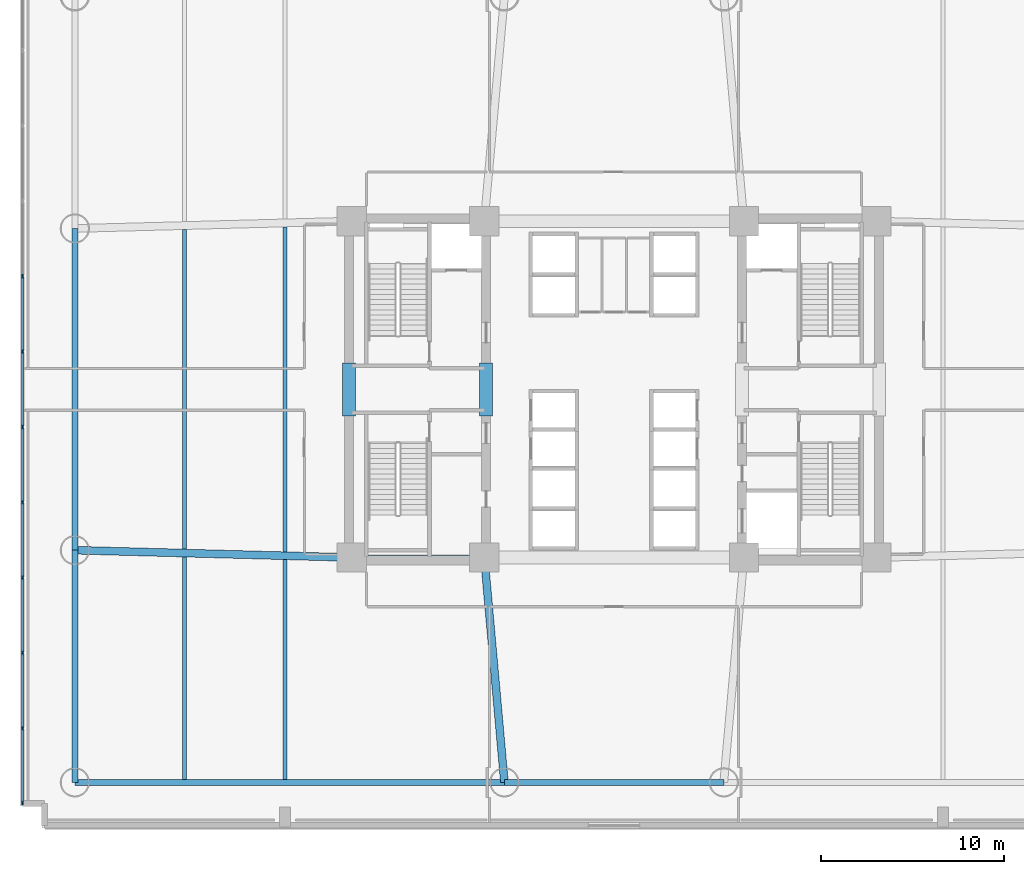
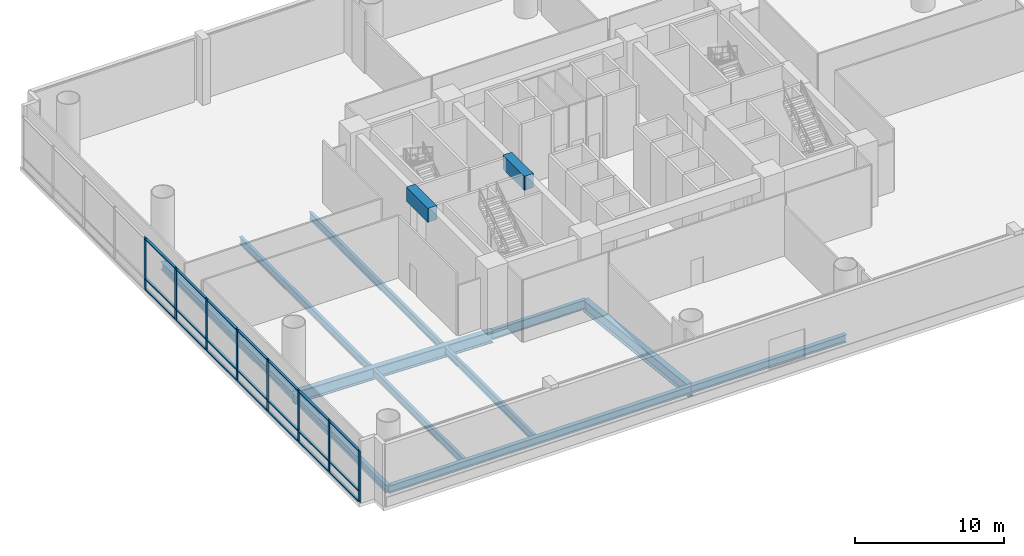
# One storey, part 2 of 15: 29 members, 13 beams, 1 element without a shape of its own.
"""IFC4 building model written with IfcOpenShell, lengths in metres."""

from ifc_helpers import new_model, si_unit, direction, frame, origin, origin_2d, place, context, subcontext, project, spatial, rectangle, i_section, extrude, source, transform, mapped, material, layer, layer_set, material_profile, profile_set, type_object, element, aggregate, save


model = new_model("IFC4")

# Units and contexts
model_context = context("Model", 3, precision=1e-05, world=origin(), true_north=direction((0.0, 1.0)))
body_context = subcontext(model_context, "Body", "Model", "MODEL_VIEW")
ifc_project = project(units=[si_unit("LENGTHUNIT", "METRE"), si_unit("AREAUNIT", "SQUARE_METRE"), si_unit("VOLUMEUNIT", "CUBIC_METRE"), si_unit("PLANEANGLEUNIT", "RADIAN"), si_unit("MASSUNIT", "GRAM", prefix="KILO")], contexts=[model_context])

# Site, building, storey
site_placement = place(None, origin())
site = spatial("IfcSite", under=ifc_project, at=site_placement, CompositionType="ELEMENT")
building_placement = place(site_placement, origin())
building = spatial("IfcBuilding", under=site, at=building_placement, Name="Zahravan Cultural Tower", CompositionType="ELEMENT")
storey_placement = place(building_placement, frame((0.0, 0.0, 7.199951171875)))
storey = spatial("IfcBuildingStorey", under=building, at=storey_placement, Name="L01", CompositionType="ELEMENT", Elevation=7.199951171875)

# Beams
ifc_material_1 = material(Name="Concrete C50/60", Category="concrete")
ifc_material_profile_1 = material_profile(ifc_material_1, rectangle(XDim=0.699951171875, YDim=1.14990234375, at=origin_2d()), Name="RC700X1150")
ifc_profile_set_1 = profile_set([ifc_material_profile_1], Name="Concrete C50/60")
beam_type_1 = type_object("IfcBeamType", Name="BM-LN-RC700X1150", PredefinedType="LINTEL", material=ifc_profile_set_1)
shared_shape_1 = source(origin(), body_context, "Body", "SweptSolid", [
    extrude(rectangle(XDim=0.699951171875, YDim=1.14990234375, at=origin_2d()), origin(), (0.0, 0.0, 1.0), 2.89990234375),
])
for number, where, z_axis, x_axis, name in (
    (1, (21.5, 25.550048828125, 4.525146484375), (0.0, 1.0, 0.0), (-1.0, 0.0, 0.0), "L01 Beam LN-L01-PWW"),
    (2, (29.0, 25.550048828125, 4.525146484375), (0.0, 1.0, 0.0), (-1.0, 0.0, 0.0), "L01 Beam LN-L01-PWE"),
):
    element("IfcBeam", number, at=place(storey_placement, frame(where, z_axis=z_axis, x_axis=x_axis)), inside=storey, type_object=beam_type_1, Name=name, PredefinedType="LINTEL", context=body_context, shape_type="MappedRepresentation", body=[
        mapped(shared_shape_1, transform((0.0, 0.0, 0.0), x_axis=(1.0, 0.0, 0.0), y_axis=(0.0, 1.0, 0.0), z_axis=(0.0, 0.0, 1.0), scale=1.0)),
    ])
ifc_material_2 = material(Name="Steel ASTM A992 Grade 50", Category="steel")
ifc_material_profile_2 = material_profile(ifc_material_2, i_section(OverallWidth=0.26611328125, OverallDepth=0.780029296875, WebThickness=0.0166015625, FlangeThickness=0.030029296875, FilletRadius=0.01904296875, at=origin_2d()), Name="W30X148")
ifc_profile_set_2 = profile_set([ifc_material_profile_2], Name="Steel ASTM A992 Grade 50")
beam_type_2 = type_object("IfcBeamType", Name="BM-G-W30X148", PredefinedType="BEAM", material=ifc_profile_set_2)
shared_shape_2 = source(origin(), body_context, "Body", "SweptSolid", [
    extrude(i_section(OverallWidth=0.26611328125, OverallDepth=0.780029296875, WebThickness=0.0166015625, FlangeThickness=0.030029296875, FilletRadius=0.01904296875, at=origin_2d()), origin(), (0.0, 0.0, 1.0), 7.25),
])
beam_1_placement = place(storey_placement, frame((21.64990234375, 17.800048828125, -0.68994140625), z_axis=(1.0, 0.0, 0.0), x_axis=(0.0, 1.0, 0.0)))
element("IfcBeam", 3, at=beam_1_placement, inside=storey, type_object=beam_type_2, Name="L01 Beam BG-L01-01", PredefinedType="BEAM", context=body_context, shape_type="MappedRepresentation", body=[
    mapped(shared_shape_2, transform((0.0, 0.0, 0.0), x_axis=(1.0, 0.0, 0.0), y_axis=(0.0, 1.0, 0.0), z_axis=(0.0, 0.0, 1.0), scale=1.0)),
])
ifc_material_profile_3 = material_profile(ifc_material_2, i_section(OverallWidth=0.326904296875, OverallDepth=0.6220703125, WebThickness=0.015380859375, FlangeThickness=0.0244140625, FilletRadius=0.014892578125, at=origin_2d()), Name="W24X131")
ifc_profile_set_3 = profile_set([ifc_material_profile_3], Name="Steel ASTM A992 Grade 50")
beam_type_3 = type_object("IfcBeamType", Name="BM-SP-W24X131", PredefinedType="SPANDREL", material=ifc_profile_set_3)
shared_shape_3 = source(origin(), body_context, "Body", "SweptSolid", [
    extrude(i_section(OverallWidth=0.326904296875, OverallDepth=0.6220703125, WebThickness=0.015380859375, FlangeThickness=0.0244140625, FilletRadius=0.014892578125, at=origin_2d()), origin(), (0.0, 0.0, 1.0), 23.5),
])
beam_2_placement = place(storey_placement, frame((6.5, 5.5, -0.61083984375), z_axis=(1.0, 0.0, 0.0), x_axis=(0.0, 1.0, 0.0)))
element("IfcBeam", 4, at=beam_2_placement, inside=storey, type_object=beam_type_3, Name="L01 Beam BG-L01-07", PredefinedType="SPANDREL", context=body_context, shape_type="MappedRepresentation", body=[
    mapped(shared_shape_3, transform((0.0, 0.0, 0.0), x_axis=(1.0, 0.0, 0.0), y_axis=(0.0, 1.0, 0.0), z_axis=(0.0, 0.0, 1.0), scale=1.0)),
])
shared_shape_4 = source(origin(), body_context, "Body", "SweptSolid", [
    extrude(i_section(OverallWidth=0.326904296875, OverallDepth=0.6220703125, WebThickness=0.015380859375, FlangeThickness=0.0244140625, FilletRadius=0.014892578125, at=origin_2d()), origin(), (0.0, 0.0, 1.0), 12.0),
])
beam_3_placement = place(storey_placement, frame((30.0, 5.5, -0.61083984375), z_axis=(1.0, 0.0, 0.0), x_axis=(0.0, 1.0, 0.0)))
element("IfcBeam", 5, at=beam_3_placement, inside=storey, type_object=beam_type_3, Name="L01 Beam BG-L01-08", PredefinedType="SPANDREL", context=body_context, shape_type="MappedRepresentation", body=[
    mapped(shared_shape_4, transform((0.0, 0.0, 0.0), x_axis=(1.0, 0.0, 0.0), y_axis=(0.0, 1.0, 0.0), z_axis=(0.0, 0.0, 1.0), scale=1.0)),
])
shared_shape_5 = source(origin(), body_context, "Body", "SweptSolid", [
    extrude(i_section(OverallWidth=0.326904296875, OverallDepth=0.6220703125, WebThickness=0.015380859375, FlangeThickness=0.0244140625, FilletRadius=0.014892578125, at=origin_2d()), origin(), (0.0, 0.0, 1.0), 12.699951171875),
])
beam_4_placement = place(storey_placement, frame((6.5, 5.5, -0.61083984375), z_axis=(0.0, 1.0, 0.0), x_axis=(-1.0, 0.0, 0.0)))
element("IfcBeam", 6, at=beam_4_placement, inside=storey, type_object=beam_type_3, Name="L01 Beam BG-L01-13", PredefinedType="SPANDREL", context=body_context, shape_type="MappedRepresentation", body=[
    mapped(shared_shape_5, transform((0.0, 0.0, 0.0), x_axis=(1.0, 0.0, 0.0), y_axis=(0.0, 1.0, 0.0), z_axis=(0.0, 0.0, 1.0), scale=1.0)),
])
shared_shape_6 = source(origin(), body_context, "Body", "SweptSolid", [
    extrude(i_section(OverallWidth=0.326904296875, OverallDepth=0.6220703125, WebThickness=0.015380859375, FlangeThickness=0.0244140625, FilletRadius=0.014892578125, at=origin_2d()), origin(), (0.0, 0.0, 1.0), 17.60009765625),
])
beam_5_placement = place(storey_placement, frame((6.5, 18.199951171875, -0.61083984375), z_axis=(0.0, 1.0, 0.0), x_axis=(-1.0, 0.0, 0.0)))
element("IfcBeam", 7, at=beam_5_placement, inside=storey, type_object=beam_type_3, Name="L01 Beam BG-L01-14", PredefinedType="SPANDREL", context=body_context, shape_type="MappedRepresentation", body=[
    mapped(shared_shape_6, transform((0.0, 0.0, 0.0), x_axis=(1.0, 0.0, 0.0), y_axis=(0.0, 1.0, 0.0), z_axis=(0.0, 0.0, 1.0), scale=1.0)),
])
ifc_material_profile_4 = material_profile(ifc_material_2, i_section(OverallWidth=0.425048828125, OverallDepth=0.965087890625, WebThickness=0.0283203125, FlangeThickness=0.051025390625, FilletRadius=0.02392578125, at=origin_2d()), Name="W36X361")
ifc_profile_set_4 = profile_set([ifc_material_profile_4], Name="Steel ASTM A992 Grade 50")
beam_type_4 = type_object("IfcBeamType", Name="BM-G-W36X361", PredefinedType="BEAM", material=ifc_profile_set_4)
shared_shape_7 = source(origin(), body_context, "Body", "SweptSolid", [
    extrude(i_section(OverallWidth=0.425048828125, OverallDepth=0.965087890625, WebThickness=0.0283203125, FlangeThickness=0.051025390625, FilletRadius=0.02392578125, at=origin_2d()), origin(), (0.0, 0.0, 1.0), 15.1552734375),
])
beam_6_placement = place(storey_placement, frame((6.5, 18.199951171875, -0.782470703125), z_axis=(0.999651797923, -0.026387173188, 0.0), x_axis=(0.026387173188, 0.999651797923, 0.0)))
element("IfcBeam", 8, at=beam_6_placement, inside=storey, type_object=beam_type_4, Name="L01 Beam BG-L01-19", PredefinedType="BEAM", context=body_context, shape_type="MappedRepresentation", body=[
    mapped(shared_shape_7, transform((0.0, 0.0, 0.0), x_axis=(1.0, 0.0, 0.0), y_axis=(0.0, 1.0, 0.0), z_axis=(0.0, 0.0, 1.0), scale=1.0)),
])
shared_shape_8 = source(origin(), body_context, "Body", "SweptSolid", [
    extrude(i_section(OverallWidth=0.425048828125, OverallDepth=0.965087890625, WebThickness=0.0283203125, FlangeThickness=0.051025390625, FilletRadius=0.02392578125, at=origin_2d()), origin(), (0.0, 0.0, 1.0), 12.34912109375),
])
beam_7_placement = place(storey_placement, frame((30.0, 5.5, -0.782470703125), z_axis=(-0.089082890706, 0.996024215862, 0.0), x_axis=(-0.996024215862, -0.089082890706, 0.0)))
element("IfcBeam", 9, at=beam_7_placement, inside=storey, type_object=beam_type_4, Name="L01 Beam BG-L01-23", PredefinedType="BEAM", context=body_context, shape_type="MappedRepresentation", body=[
    mapped(shared_shape_8, transform((0.0, 0.0, 0.0), x_axis=(1.0, 0.0, 0.0), y_axis=(0.0, 1.0, 0.0), z_axis=(0.0, 0.0, 1.0), scale=1.0)),
])
ifc_material_profile_5 = material_profile(ifc_material_2, i_section(OverallWidth=0.22998046875, OverallDepth=0.616943359375, WebThickness=0.01318359375, FlangeThickness=0.022216796875, FilletRadius=0.014892578125, at=origin_2d()), Name="W24X94")
ifc_profile_set_5 = profile_set([ifc_material_profile_5], Name="Steel ASTM A992 Grade 50")
beam_type_5 = type_object("IfcBeamType", Name="BM-J-W24X94", PredefinedType="JOIST", material=ifc_profile_set_5)
shared_shape_9 = source(origin(), body_context, "Body", "SweptSolid", [
    extrude(i_section(OverallWidth=0.22998046875, OverallDepth=0.616943359375, WebThickness=0.01318359375, FlangeThickness=0.022216796875, FilletRadius=0.014892578125, at=origin_2d()), origin(), (0.0, 0.0, 1.0), 12.16357421875),
])
beam_8_placement = place(storey_placement, frame((12.5, 5.6650390625, -0.6083984375), z_axis=(0.0, 1.0, 0.0), x_axis=(-1.0, 0.0, 0.0)))
element("IfcBeam", 10, at=beam_8_placement, inside=storey, type_object=beam_type_5, Name="L01 Beam BJ-L01-27", PredefinedType="JOIST", context=body_context, shape_type="MappedRepresentation", body=[
    mapped(shared_shape_9, transform((0.0, 0.0, 0.0), x_axis=(1.0, 0.0, 0.0), y_axis=(0.0, 1.0, 0.0), z_axis=(0.0, 0.0, 1.0), scale=1.0)),
])
shared_shape_10 = source(origin(), body_context, "Body", "SweptSolid", [
    extrude(i_section(OverallWidth=0.22998046875, OverallDepth=0.616943359375, WebThickness=0.01318359375, FlangeThickness=0.022216796875, FilletRadius=0.014892578125, at=origin_2d()), origin(), (0.0, 0.0, 1.0), 17.49072265625),
])
beam_9_placement = place(storey_placement, frame((12.5, 18.254638671875, -0.6083984375), z_axis=(0.0, 1.0, 0.0), x_axis=(-1.0, 0.0, 0.0)))
element("IfcBeam", 11, at=beam_9_placement, inside=storey, type_object=beam_type_5, Name="L01 Beam BJ-L01-28", PredefinedType="JOIST", context=body_context, shape_type="MappedRepresentation", body=[
    mapped(shared_shape_10, transform((0.0, 0.0, 0.0), x_axis=(1.0, 0.0, 0.0), y_axis=(0.0, 1.0, 0.0), z_axis=(0.0, 0.0, 1.0), scale=1.0)),
])
shared_shape_11 = source(origin(), body_context, "Body", "SweptSolid", [
    extrude(i_section(OverallWidth=0.22998046875, OverallDepth=0.616943359375, WebThickness=0.01318359375, FlangeThickness=0.022216796875, FilletRadius=0.014892578125, at=origin_2d()), origin(), (0.0, 0.0, 1.0), 12.018310546875),
])
beam_10_placement = place(storey_placement, frame((18.0, 5.6650390625, -0.6083984375), z_axis=(0.0, 1.0, 0.0), x_axis=(-1.0, 0.0, 0.0)))
element("IfcBeam", 12, at=beam_10_placement, inside=storey, type_object=beam_type_5, Name="L01 Beam BJ-L01-30", PredefinedType="JOIST", context=body_context, shape_type="MappedRepresentation", body=[
    mapped(shared_shape_11, transform((0.0, 0.0, 0.0), x_axis=(1.0, 0.0, 0.0), y_axis=(0.0, 1.0, 0.0), z_axis=(0.0, 0.0, 1.0), scale=1.0)),
])
shared_shape_12 = source(origin(), body_context, "Body", "SweptSolid", [
    extrude(i_section(OverallWidth=0.22998046875, OverallDepth=0.616943359375, WebThickness=0.01318359375, FlangeThickness=0.022216796875, FilletRadius=0.014892578125, at=origin_2d()), origin(), (0.0, 0.0, 1.0), 17.78125),
])
beam_11_placement = place(storey_placement, frame((18.0, 18.109375, -0.6083984375), z_axis=(0.0, 1.0, 0.0), x_axis=(-1.0, 0.0, 0.0)))
element("IfcBeam", 13, at=beam_11_placement, inside=storey, type_object=beam_type_5, Name="L01 Beam BJ-L01-31", PredefinedType="JOIST", context=body_context, shape_type="MappedRepresentation", body=[
    mapped(shared_shape_12, transform((0.0, 0.0, 0.0), x_axis=(1.0, 0.0, 0.0), y_axis=(0.0, 1.0, 0.0), z_axis=(0.0, 0.0, 1.0), scale=1.0)),
])

# Curtain wall, members
ifc_material_3 = material(Name="Anodised bronze-aluminium mullion", Category="aluminium")
ifc_layer = layer(ifc_material_3, 0.239990234375)
ifc_layer_set = layer_set([ifc_layer], Name="Anodised bronze-aluminium mullion")
curtain_wall_type = type_object("IfcCurtainWallType", Name="CW-SYS-5", PredefinedType="USERDEFINED", material=ifc_layer_set)
curtain_wall_placement = place(storey_placement, origin())
curtain_wall = element("IfcCurtainWall", 14, at=curtain_wall_placement, inside=storey, type_object=curtain_wall_type, Name="L01 Recessed Curtain Wall CW-5.2", ObjectType="RECESSED GLAZING", PredefinedType="USERDEFINED")
ifc_material_profile_6 = material_profile(ifc_material_3, rectangle(XDim=0.0849609375, YDim=0.239990234375, at=origin_2d()), Name="AL-M85X240")
ifc_profile_set_6 = profile_set([ifc_material_profile_6], Name="Anodised bronze-aluminium mullion")
member_type_1 = type_object("IfcMemberType", Name="CWM-CW-5", PredefinedType="MULLION", material=ifc_profile_set_6)
shared_shape_13 = source(origin(), body_context, "Body", "SweptSolid", [
    extrude(rectangle(XDim=0.0849609375, YDim=0.239990234375, at=origin_2d()), origin(), (0.0, 0.0, 1.0), 4.219970703125),
])
member_1_placement = place(storey_placement, frame((3.639892578125, 4.382568359375, 0.0), z_axis=(0.0, 0.0, 1.0), x_axis=(-1.0, 0.0, 0.0)))
member_1 = element("IfcMember", 15, at=member_1_placement, type_object=member_type_1, Name="CW-5 mullion 1", PredefinedType="MULLION", context=body_context, shape_type="MappedRepresentation", body=[
    mapped(shared_shape_13, transform((0.0, 0.0, 0.0), x_axis=(1.0, 0.0, 0.0), y_axis=(0.0, 1.0, 0.0), z_axis=(0.0, 0.0, 1.0), scale=1.0)),
])
member_2_placement = place(storey_placement, frame((3.639892578125, 8.4599609375, 0.0), z_axis=(0.0, 0.0, 1.0), x_axis=(-1.0, 0.0, 0.0)))
member_2 = element("IfcMember", 16, at=member_2_placement, type_object=member_type_1, Name="CW-5 mullion 2", PredefinedType="MULLION", context=body_context, shape_type="MappedRepresentation", body=[
    mapped(shared_shape_13, transform((0.0, 0.0, 0.0), x_axis=(1.0, 0.0, 0.0), y_axis=(0.0, 1.0, 0.0), z_axis=(0.0, 0.0, 1.0), scale=1.0)),
])
member_3_placement = place(storey_placement, frame((3.639892578125, 12.580078125, 0.0), z_axis=(0.0, 0.0, 1.0), x_axis=(-1.0, 0.0, 0.0)))
member_3 = element("IfcMember", 17, at=member_3_placement, type_object=member_type_1, Name="CW-5 mullion 3", PredefinedType="MULLION", context=body_context, shape_type="MappedRepresentation", body=[
    mapped(shared_shape_13, transform((0.0, 0.0, 0.0), x_axis=(1.0, 0.0, 0.0), y_axis=(0.0, 1.0, 0.0), z_axis=(0.0, 0.0, 1.0), scale=1.0)),
])
member_4_placement = place(storey_placement, frame((3.639892578125, 16.699951171875, 0.0), z_axis=(0.0, 0.0, 1.0), x_axis=(-1.0, 0.0, 0.0)))
member_4 = element("IfcMember", 18, at=member_4_placement, type_object=member_type_1, Name="CW-5 mullion 4", PredefinedType="MULLION", context=body_context, shape_type="MappedRepresentation", body=[
    mapped(shared_shape_13, transform((0.0, 0.0, 0.0), x_axis=(1.0, 0.0, 0.0), y_axis=(0.0, 1.0, 0.0), z_axis=(0.0, 0.0, 1.0), scale=1.0)),
])
member_5_placement = place(storey_placement, frame((3.639892578125, 20.820068359375, 0.0), z_axis=(0.0, 0.0, 1.0), x_axis=(-1.0, 0.0, 0.0)))
member_5 = element("IfcMember", 19, at=member_5_placement, type_object=member_type_1, Name="CW-5 mullion 5", PredefinedType="MULLION", context=body_context, shape_type="MappedRepresentation", body=[
    mapped(shared_shape_13, transform((0.0, 0.0, 0.0), x_axis=(1.0, 0.0, 0.0), y_axis=(0.0, 1.0, 0.0), z_axis=(0.0, 0.0, 1.0), scale=1.0)),
])
member_6_placement = place(storey_placement, frame((3.639892578125, 24.93994140625, 0.0), z_axis=(0.0, 0.0, 1.0), x_axis=(-1.0, 0.0, 0.0)))
member_6 = element("IfcMember", 20, at=member_6_placement, type_object=member_type_1, Name="CW-5 mullion 6", PredefinedType="MULLION", context=body_context, shape_type="MappedRepresentation", body=[
    mapped(shared_shape_13, transform((0.0, 0.0, 0.0), x_axis=(1.0, 0.0, 0.0), y_axis=(0.0, 1.0, 0.0), z_axis=(0.0, 0.0, 1.0), scale=1.0)),
])
member_7_placement = place(storey_placement, frame((3.639892578125, 29.06005859375, 0.0), z_axis=(0.0, 0.0, 1.0), x_axis=(-1.0, 0.0, 0.0)))
member_7 = element("IfcMember", 21, at=member_7_placement, type_object=member_type_1, Name="CW-5 mullion 7", PredefinedType="MULLION", context=body_context, shape_type="MappedRepresentation", body=[
    mapped(shared_shape_13, transform((0.0, 0.0, 0.0), x_axis=(1.0, 0.0, 0.0), y_axis=(0.0, 1.0, 0.0), z_axis=(0.0, 0.0, 1.0), scale=1.0)),
])
member_8_placement = place(storey_placement, frame((3.639892578125, 33.179931640625, 0.0), z_axis=(0.0, 0.0, 1.0), x_axis=(-1.0, 0.0, 0.0)))
member_8 = element("IfcMember", 22, at=member_8_placement, type_object=member_type_1, Name="CW-5 mullion 8", PredefinedType="MULLION", context=body_context, shape_type="MappedRepresentation", body=[
    mapped(shared_shape_13, transform((0.0, 0.0, 0.0), x_axis=(1.0, 0.0, 0.0), y_axis=(0.0, 1.0, 0.0), z_axis=(0.0, 0.0, 1.0), scale=1.0)),
])
ifc_material_profile_7 = material_profile(ifc_material_3, rectangle(XDim=0.179931640625, YDim=0.0849609375, at=origin_2d()), Name="AL-T85X180")
ifc_profile_set_7 = profile_set([ifc_material_profile_7], Name="Anodised bronze-aluminium mullion")
member_type_2 = type_object("IfcMemberType", Name="CWT-CW-5", PredefinedType="USERDEFINED", material=ifc_profile_set_7)
shared_shape_14 = source(origin(), body_context, "Body", "SweptSolid", [
    extrude(rectangle(XDim=0.179931640625, YDim=0.0849609375, at=origin_2d()), origin(), (0.0, 0.0, 1.0), 3.992431640625),
])
member_9_placement = place(storey_placement, frame((3.639892578125, 4.425048828125, 0.04248046875), z_axis=(0.0, 1.0, 0.0), x_axis=(-1.0, 0.0, 0.0)))
member_9 = element("IfcMember", 23, at=member_9_placement, type_object=member_type_2, Name="CW-5 transom 1.1", ObjectType="TRANSOM", PredefinedType="USERDEFINED", context=body_context, shape_type="MappedRepresentation", body=[
    mapped(shared_shape_14, transform((0.0, 0.0, 0.0), x_axis=(1.0, 0.0, 0.0), y_axis=(0.0, 1.0, 0.0), z_axis=(0.0, 0.0, 1.0), scale=1.0)),
])
member_10_placement = place(storey_placement, frame((3.639892578125, 4.425048828125, 0.900146484375), z_axis=(0.0, 1.0, 0.0), x_axis=(-1.0, 0.0, 0.0)))
member_10 = element("IfcMember", 24, at=member_10_placement, type_object=member_type_2, Name="CW-5 transom 1.2", ObjectType="TRANSOM", PredefinedType="USERDEFINED", context=body_context, shape_type="MappedRepresentation", body=[
    mapped(shared_shape_14, transform((0.0, 0.0, 0.0), x_axis=(1.0, 0.0, 0.0), y_axis=(0.0, 1.0, 0.0), z_axis=(0.0, 0.0, 1.0), scale=1.0)),
])
member_11_placement = place(storey_placement, frame((3.639892578125, 4.425048828125, 4.177490234375), z_axis=(0.0, 1.0, 0.0), x_axis=(-1.0, 0.0, 0.0)))
member_11 = element("IfcMember", 25, at=member_11_placement, type_object=member_type_2, Name="CW-5 transom 1.3", ObjectType="TRANSOM", PredefinedType="USERDEFINED", context=body_context, shape_type="MappedRepresentation", body=[
    mapped(shared_shape_14, transform((0.0, 0.0, 0.0), x_axis=(1.0, 0.0, 0.0), y_axis=(0.0, 1.0, 0.0), z_axis=(0.0, 0.0, 1.0), scale=1.0)),
])
shared_shape_15 = source(origin(), body_context, "Body", "SweptSolid", [
    extrude(rectangle(XDim=0.179931640625, YDim=0.0849609375, at=origin_2d()), origin(), (0.0, 0.0, 1.0), 4.03515625),
])
member_12_placement = place(storey_placement, frame((3.639892578125, 8.50244140625, 0.04248046875), z_axis=(0.0, 1.0, 0.0), x_axis=(-1.0, 0.0, 0.0)))
member_12 = element("IfcMember", 26, at=member_12_placement, type_object=member_type_2, Name="CW-5 transom 2.1", ObjectType="TRANSOM", PredefinedType="USERDEFINED", context=body_context, shape_type="MappedRepresentation", body=[
    mapped(shared_shape_15, transform((0.0, 0.0, 0.0), x_axis=(1.0, 0.0, 0.0), y_axis=(0.0, 1.0, 0.0), z_axis=(0.0, 0.0, 1.0), scale=1.0)),
])
member_13_placement = place(storey_placement, frame((3.639892578125, 8.50244140625, 0.900146484375), z_axis=(0.0, 1.0, 0.0), x_axis=(-1.0, 0.0, 0.0)))
member_13 = element("IfcMember", 27, at=member_13_placement, type_object=member_type_2, Name="CW-5 transom 2.2", ObjectType="TRANSOM", PredefinedType="USERDEFINED", context=body_context, shape_type="MappedRepresentation", body=[
    mapped(shared_shape_15, transform((0.0, 0.0, 0.0), x_axis=(1.0, 0.0, 0.0), y_axis=(0.0, 1.0, 0.0), z_axis=(0.0, 0.0, 1.0), scale=1.0)),
])
member_14_placement = place(storey_placement, frame((3.639892578125, 8.50244140625, 4.177490234375), z_axis=(0.0, 1.0, 0.0), x_axis=(-1.0, 0.0, 0.0)))
member_14 = element("IfcMember", 28, at=member_14_placement, type_object=member_type_2, Name="CW-5 transom 2.3", ObjectType="TRANSOM", PredefinedType="USERDEFINED", context=body_context, shape_type="MappedRepresentation", body=[
    mapped(shared_shape_15, transform((0.0, 0.0, 0.0), x_axis=(1.0, 0.0, 0.0), y_axis=(0.0, 1.0, 0.0), z_axis=(0.0, 0.0, 1.0), scale=1.0)),
])
member_15_placement = place(storey_placement, frame((3.639892578125, 16.742431640625, 0.04248046875), z_axis=(0.0, 1.0, 0.0), x_axis=(-1.0, 0.0, 0.0)))
member_15 = element("IfcMember", 29, at=member_15_placement, type_object=member_type_2, Name="CW-5 transom 4.1", ObjectType="TRANSOM", PredefinedType="USERDEFINED", context=body_context, shape_type="MappedRepresentation", body=[
    mapped(shared_shape_15, transform((0.0, 0.0, 0.0), x_axis=(1.0, 0.0, 0.0), y_axis=(0.0, 1.0, 0.0), z_axis=(0.0, 0.0, 1.0), scale=1.0)),
])
member_16_placement = place(storey_placement, frame((3.639892578125, 16.742431640625, 0.900146484375), z_axis=(0.0, 1.0, 0.0), x_axis=(-1.0, 0.0, 0.0)))
member_16 = element("IfcMember", 30, at=member_16_placement, type_object=member_type_2, Name="CW-5 transom 4.2", ObjectType="TRANSOM", PredefinedType="USERDEFINED", context=body_context, shape_type="MappedRepresentation", body=[
    mapped(shared_shape_15, transform((0.0, 0.0, 0.0), x_axis=(1.0, 0.0, 0.0), y_axis=(0.0, 1.0, 0.0), z_axis=(0.0, 0.0, 1.0), scale=1.0)),
])
member_17_placement = place(storey_placement, frame((3.639892578125, 16.742431640625, 4.177490234375), z_axis=(0.0, 1.0, 0.0), x_axis=(-1.0, 0.0, 0.0)))
member_17 = element("IfcMember", 31, at=member_17_placement, type_object=member_type_2, Name="CW-5 transom 4.3", ObjectType="TRANSOM", PredefinedType="USERDEFINED", context=body_context, shape_type="MappedRepresentation", body=[
    mapped(shared_shape_15, transform((0.0, 0.0, 0.0), x_axis=(1.0, 0.0, 0.0), y_axis=(0.0, 1.0, 0.0), z_axis=(0.0, 0.0, 1.0), scale=1.0)),
])
member_18_placement = place(storey_placement, frame((3.639892578125, 24.982421875, 0.04248046875), z_axis=(0.0, 1.0, 0.0), x_axis=(-1.0, 0.0, 0.0)))
member_18 = element("IfcMember", 32, at=member_18_placement, type_object=member_type_2, Name="CW-5 transom 6.1", ObjectType="TRANSOM", PredefinedType="USERDEFINED", context=body_context, shape_type="MappedRepresentation", body=[
    mapped(shared_shape_15, transform((0.0, 0.0, 0.0), x_axis=(1.0, 0.0, 0.0), y_axis=(0.0, 1.0, 0.0), z_axis=(0.0, 0.0, 1.0), scale=1.0)),
])
member_19_placement = place(storey_placement, frame((3.639892578125, 24.982421875, 0.900146484375), z_axis=(0.0, 1.0, 0.0), x_axis=(-1.0, 0.0, 0.0)))
member_19 = element("IfcMember", 33, at=member_19_placement, type_object=member_type_2, Name="CW-5 transom 6.2", ObjectType="TRANSOM", PredefinedType="USERDEFINED", context=body_context, shape_type="MappedRepresentation", body=[
    mapped(shared_shape_15, transform((0.0, 0.0, 0.0), x_axis=(1.0, 0.0, 0.0), y_axis=(0.0, 1.0, 0.0), z_axis=(0.0, 0.0, 1.0), scale=1.0)),
])
member_20_placement = place(storey_placement, frame((3.639892578125, 24.982421875, 4.177490234375), z_axis=(0.0, 1.0, 0.0), x_axis=(-1.0, 0.0, 0.0)))
member_20 = element("IfcMember", 34, at=member_20_placement, type_object=member_type_2, Name="CW-5 transom 6.3", ObjectType="TRANSOM", PredefinedType="USERDEFINED", context=body_context, shape_type="MappedRepresentation", body=[
    mapped(shared_shape_15, transform((0.0, 0.0, 0.0), x_axis=(1.0, 0.0, 0.0), y_axis=(0.0, 1.0, 0.0), z_axis=(0.0, 0.0, 1.0), scale=1.0)),
])
shared_shape_16 = source(origin(), body_context, "Body", "SweptSolid", [
    extrude(rectangle(XDim=0.179931640625, YDim=0.0849609375, at=origin_2d()), origin(), (0.0, 0.0, 1.0), 4.034912109375),
])
member_21_placement = place(storey_placement, frame((3.639892578125, 12.62255859375, 0.04248046875), z_axis=(0.0, 1.0, 0.0), x_axis=(-1.0, 0.0, 0.0)))
member_21 = element("IfcMember", 35, at=member_21_placement, type_object=member_type_2, Name="CW-5 transom 3.1", ObjectType="TRANSOM", PredefinedType="USERDEFINED", context=body_context, shape_type="MappedRepresentation", body=[
    mapped(shared_shape_16, transform((0.0, 0.0, 0.0), x_axis=(1.0, 0.0, 0.0), y_axis=(0.0, 1.0, 0.0), z_axis=(0.0, 0.0, 1.0), scale=1.0)),
])
member_22_placement = place(storey_placement, frame((3.639892578125, 12.62255859375, 0.900146484375), z_axis=(0.0, 1.0, 0.0), x_axis=(-1.0, 0.0, 0.0)))
member_22 = element("IfcMember", 36, at=member_22_placement, type_object=member_type_2, Name="CW-5 transom 3.2", ObjectType="TRANSOM", PredefinedType="USERDEFINED", context=body_context, shape_type="MappedRepresentation", body=[
    mapped(shared_shape_16, transform((0.0, 0.0, 0.0), x_axis=(1.0, 0.0, 0.0), y_axis=(0.0, 1.0, 0.0), z_axis=(0.0, 0.0, 1.0), scale=1.0)),
])
member_23_placement = place(storey_placement, frame((3.639892578125, 12.62255859375, 4.177490234375), z_axis=(0.0, 1.0, 0.0), x_axis=(-1.0, 0.0, 0.0)))
member_23 = element("IfcMember", 37, at=member_23_placement, type_object=member_type_2, Name="CW-5 transom 3.3", ObjectType="TRANSOM", PredefinedType="USERDEFINED", context=body_context, shape_type="MappedRepresentation", body=[
    mapped(shared_shape_16, transform((0.0, 0.0, 0.0), x_axis=(1.0, 0.0, 0.0), y_axis=(0.0, 1.0, 0.0), z_axis=(0.0, 0.0, 1.0), scale=1.0)),
])
member_24_placement = place(storey_placement, frame((3.639892578125, 20.862548828125, 0.04248046875), z_axis=(0.0, 1.0, 0.0), x_axis=(-1.0, 0.0, 0.0)))
member_24 = element("IfcMember", 38, at=member_24_placement, type_object=member_type_2, Name="CW-5 transom 5.1", ObjectType="TRANSOM", PredefinedType="USERDEFINED", context=body_context, shape_type="MappedRepresentation", body=[
    mapped(shared_shape_16, transform((0.0, 0.0, 0.0), x_axis=(1.0, 0.0, 0.0), y_axis=(0.0, 1.0, 0.0), z_axis=(0.0, 0.0, 1.0), scale=1.0)),
])
member_25_placement = place(storey_placement, frame((3.639892578125, 20.862548828125, 0.900146484375), z_axis=(0.0, 1.0, 0.0), x_axis=(-1.0, 0.0, 0.0)))
member_25 = element("IfcMember", 39, at=member_25_placement, type_object=member_type_2, Name="CW-5 transom 5.2", ObjectType="TRANSOM", PredefinedType="USERDEFINED", context=body_context, shape_type="MappedRepresentation", body=[
    mapped(shared_shape_16, transform((0.0, 0.0, 0.0), x_axis=(1.0, 0.0, 0.0), y_axis=(0.0, 1.0, 0.0), z_axis=(0.0, 0.0, 1.0), scale=1.0)),
])
member_26_placement = place(storey_placement, frame((3.639892578125, 20.862548828125, 4.177490234375), z_axis=(0.0, 1.0, 0.0), x_axis=(-1.0, 0.0, 0.0)))
member_26 = element("IfcMember", 40, at=member_26_placement, type_object=member_type_2, Name="CW-5 transom 5.3", ObjectType="TRANSOM", PredefinedType="USERDEFINED", context=body_context, shape_type="MappedRepresentation", body=[
    mapped(shared_shape_16, transform((0.0, 0.0, 0.0), x_axis=(1.0, 0.0, 0.0), y_axis=(0.0, 1.0, 0.0), z_axis=(0.0, 0.0, 1.0), scale=1.0)),
])
member_27_placement = place(storey_placement, frame((3.639892578125, 29.1025390625, 0.04248046875), z_axis=(0.0, 1.0, 0.0), x_axis=(-1.0, 0.0, 0.0)))
member_27 = element("IfcMember", 41, at=member_27_placement, type_object=member_type_2, Name="CW-5 transom 7.1", ObjectType="TRANSOM", PredefinedType="USERDEFINED", context=body_context, shape_type="MappedRepresentation", body=[
    mapped(shared_shape_16, transform((0.0, 0.0, 0.0), x_axis=(1.0, 0.0, 0.0), y_axis=(0.0, 1.0, 0.0), z_axis=(0.0, 0.0, 1.0), scale=1.0)),
])
member_28_placement = place(storey_placement, frame((3.639892578125, 29.1025390625, 0.900146484375), z_axis=(0.0, 1.0, 0.0), x_axis=(-1.0, 0.0, 0.0)))
member_28 = element("IfcMember", 42, at=member_28_placement, type_object=member_type_2, Name="CW-5 transom 7.2", ObjectType="TRANSOM", PredefinedType="USERDEFINED", context=body_context, shape_type="MappedRepresentation", body=[
    mapped(shared_shape_16, transform((0.0, 0.0, 0.0), x_axis=(1.0, 0.0, 0.0), y_axis=(0.0, 1.0, 0.0), z_axis=(0.0, 0.0, 1.0), scale=1.0)),
])
member_29_placement = place(storey_placement, frame((3.639892578125, 29.1025390625, 4.177490234375), z_axis=(0.0, 1.0, 0.0), x_axis=(-1.0, 0.0, 0.0)))
member_29 = element("IfcMember", 43, at=member_29_placement, type_object=member_type_2, Name="CW-5 transom 7.3", ObjectType="TRANSOM", PredefinedType="USERDEFINED", context=body_context, shape_type="MappedRepresentation", body=[
    mapped(shared_shape_16, transform((0.0, 0.0, 0.0), x_axis=(1.0, 0.0, 0.0), y_axis=(0.0, 1.0, 0.0), z_axis=(0.0, 0.0, 1.0), scale=1.0)),
])
aggregate(curtain_wall, [member_1, member_2, member_3, member_4, member_5, member_6, member_7, member_8, member_9, member_10, member_11, member_12, member_13, member_14, member_21, member_22, member_23, member_15, member_16, member_17, member_24, member_25, member_26, member_18, member_19, member_20, member_27, member_28, member_29])

save(model, "model.ifc")
